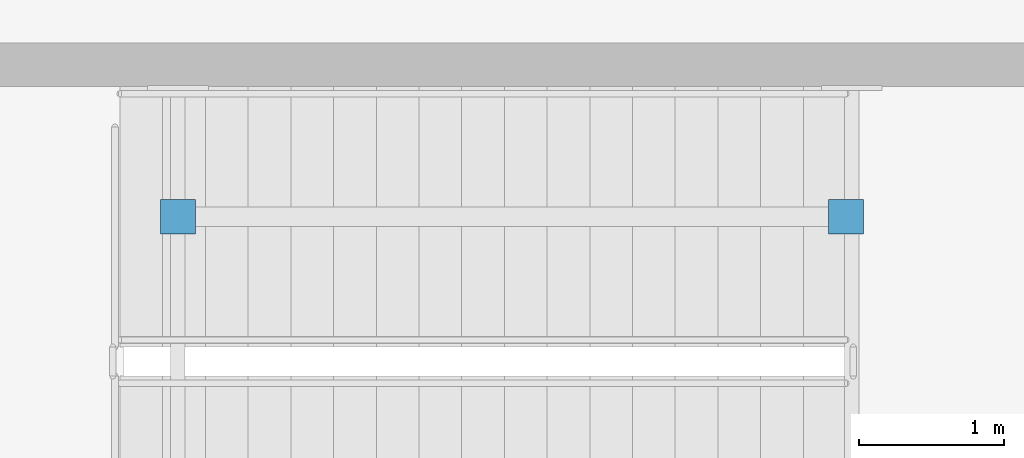
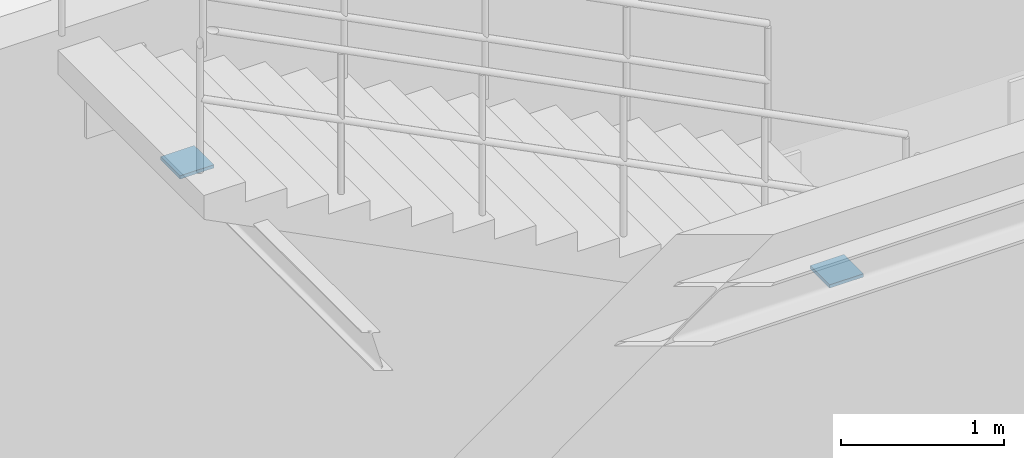
# One storey, part 104 of 129: 2 discrete accessories.
"""IFC4 building model written with IfcOpenShell, lengths in metres."""

from ifc_helpers import new_model, si_unit, direction, frame, origin, origin_2d, place, context, subcontext, project, spatial, rectangle, extrude, material, type_object, element, save


model = new_model("IFC4")

# Units and contexts
model_context = context("Model", 3, precision=1e-05, world=origin(), true_north=direction((0.0, 1.0)))
body_context = subcontext(model_context, "Body", "Model", "MODEL_VIEW")
ifc_project = project(units=[si_unit("LENGTHUNIT", "METRE"), si_unit("AREAUNIT", "SQUARE_METRE"), si_unit("VOLUMEUNIT", "CUBIC_METRE"), si_unit("PLANEANGLEUNIT", "RADIAN"), si_unit("MASSUNIT", "GRAM", prefix="KILO")], contexts=[model_context])

# Site, building, storey
site_placement = place(None, origin())
site = spatial("IfcSite", under=ifc_project, at=site_placement, CompositionType="ELEMENT")
building_placement = place(site_placement, origin())
building = spatial("IfcBuilding", under=site, at=building_placement, Name="Sundkrona Museum", CompositionType="ELEMENT")
storey_placement = place(building_placement, origin())
storey = spatial("IfcBuildingStorey", under=building, at=storey_placement, Name="L00", CompositionType="ELEMENT", Elevation=0.0)

# Discrete accessories
ifc_material = material(Name="Stainless Steel EN 1.4404 Cleat", Category="steel")
discrete_accessory_type = type_object("IfcDiscreteAccessoryType", Name="BRK-FIN-01", PredefinedType="BRACKET", material=ifc_material)
for number, where, z_axis, x_axis, name in (
    (1, (35.715087890625, 35.199951171875, 2.367431640625), (0.0, 0.0, 1.0), (1.0, 0.0, 0.0), "Brace and Strut End Connection Plate RK-ST-ST-4-L00-2-1"),
    (2, (31.10009765625, 35.199951171875, 4.8017578125), (0.0, 0.0, 1.0), (1.0, 0.0, 0.0), "Brace and Strut End Connection Plate RK-ST-ST-4-L00-2-2"),
):
    element("IfcDiscreteAccessory", number, at=place(storey_placement, frame(where, z_axis=z_axis, x_axis=x_axis)), inside=storey, type_object=discrete_accessory_type, Name=name, PredefinedType="BRACKET", context=body_context, shape_type="SweptSolid", body=[
        extrude(rectangle(XDim=0.239990234375, YDim=0.239990234375, at=origin_2d()), origin(), (0.0, 0.0, 1.0), 0.02490234375),
    ])

save(model, "model.ifc")
